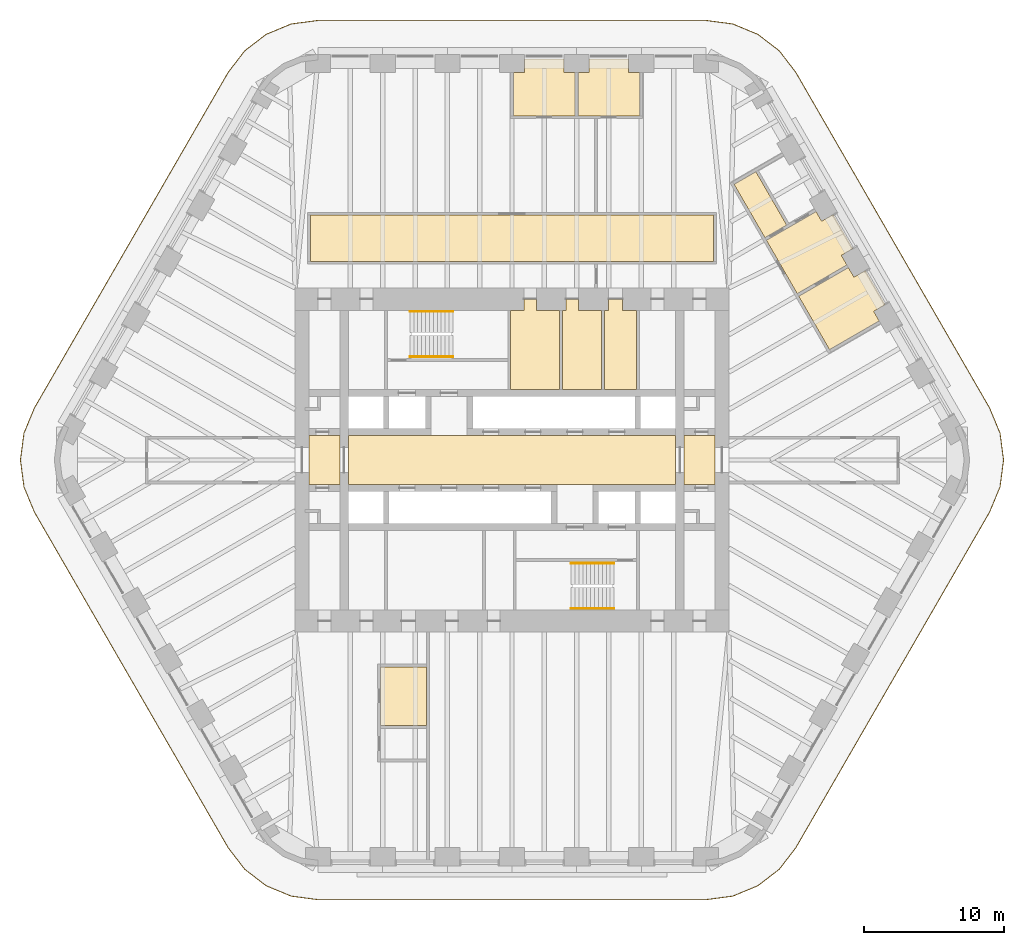
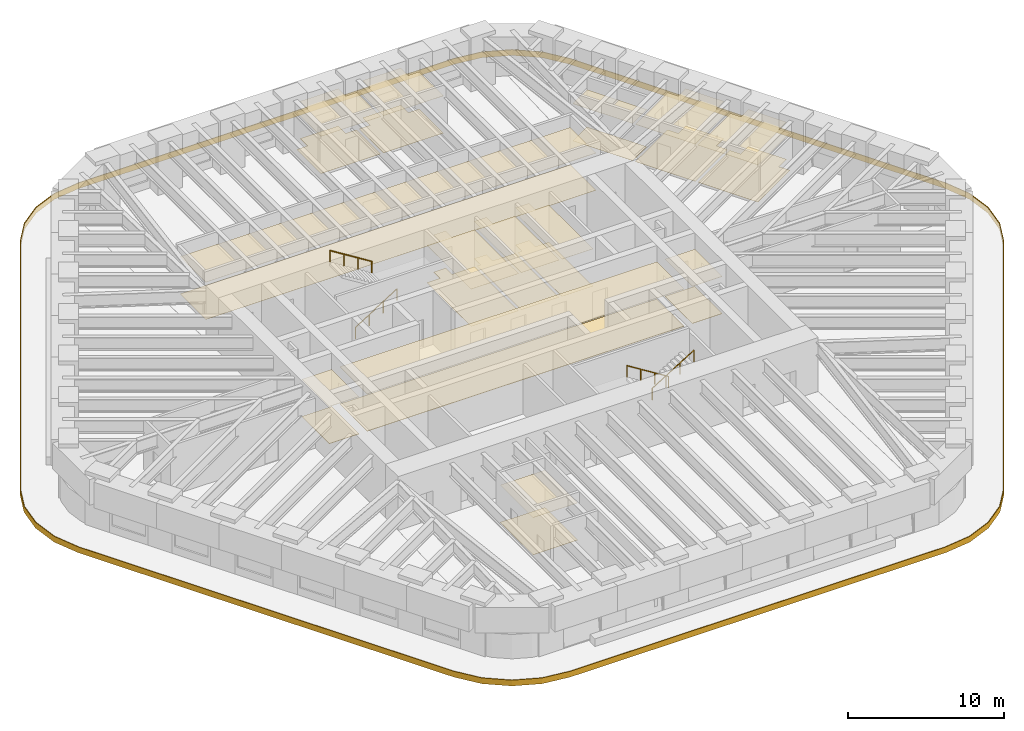
# One storey, part 11 of 12: 15 coverings, 4 railings.
"""IFC4 building model written with IfcOpenShell, lengths in metres."""

from ifc_helpers import new_model, si_unit, direction, frame, origin, origin_2d, place, context, subcontext, project, spatial, polyline, circle, outline, extrude, material, layer, layer_set, type_object, element, save


model = new_model("IFC4")

# Units and contexts
model_context = context("Model", 3, precision=1e-05, world=origin(), true_north=direction((0.0, 1.0)))
body_context = subcontext(model_context, "Body", "Model", "MODEL_VIEW")
ifc_project = project(units=[si_unit("LENGTHUNIT", "METRE"), si_unit("AREAUNIT", "SQUARE_METRE"), si_unit("VOLUMEUNIT", "CUBIC_METRE"), si_unit("PLANEANGLEUNIT", "RADIAN"), si_unit("MASSUNIT", "GRAM", prefix="KILO")], contexts=[model_context])

# Site, building, storey
site_placement = place(None, origin())
site = spatial("IfcSite", under=ifc_project, at=site_placement, CompositionType="ELEMENT")
building_placement = place(site_placement, origin())
building = spatial("IfcBuilding", under=site, at=building_placement, Name="Tarfa Lantern Tower", CompositionType="ELEMENT")
storey_placement = place(building_placement, frame((0.0, 0.0, 295.300048828125)))
storey = spatial("IfcBuildingStorey", under=building, at=storey_placement, Name="L67", CompositionType="ELEMENT", Elevation=295.300048828125)

# Coverings
ifc_material_1 = material(Name="Mineral fibre acoustic tile on suspension grid", Category="finish")
ifc_layer_1 = layer(ifc_material_1, 0.02001953125)
ifc_layer_set_1 = layer_set([ifc_layer_1], Name="CL1 ACOUSTIC TILE CEILING 20")
covering_type_1 = type_object("IfcCoveringType", Name="CL1 ACOUSTIC TILE CEILING 20", PredefinedType="CEILING", material=ifc_layer_set_1)
covering_1_placement = place(storey_placement, frame((0.0, 0.0, 2.89990234375)))
element("IfcCovering", 1, at=covering_1_placement, inside=storey, type_object=covering_type_1, Name="Ceiling L67 CL1", PredefinedType="CEILING", context=body_context, shape_type="SweptSolid", body=[
    extrude(outline(polyline([(-14.39990234375, 17.5), (14.39990234375, 17.5), (14.39990234375, 14.199951171875), (-14.39990234375, 14.199951171875), (-14.39990234375, 17.5)])), origin(), (0.0, 0.0, 1.0), 0.02001953125),
    extrude(outline(polyline([(9.1376953125, 24.60009765625), (4.71875, 24.60009765625), (4.71875, 27.699951171875), (5.518798828125, 27.699951171875), (5.518798828125, 28.64990234375), (8.337646484375, 28.64990234375), (8.337646484375, 27.699951171875), (9.1376953125, 27.699951171875), (9.1376953125, 24.60009765625)])), origin(), (0.0, 0.0, 1.0), 0.02001953125),
    extrude(outline(polyline([(4.518798828125, 24.60009765625), (0.10009765625, 24.60009765625), (0.10009765625, 27.699951171875), (0.89990234375, 27.699951171875), (0.89990234375, 28.64990234375), (3.71875, 28.64990234375), (3.71875, 27.699951171875), (4.518798828125, 27.699951171875), (4.518798828125, 24.60009765625)])), origin(), (0.0, 0.0, 1.0), 0.02001953125),
    extrude(outline(polyline([(20.48828125, 11.71337890625), (24.038818359375, 13.763427734375), (24.43896484375, 13.070556640625), (25.26171875, 13.545654296875), (26.671142578125, 11.1044921875), (25.848388671875, 10.62939453125), (26.248291015625, 9.9365234375), (22.697509765625, 7.88671875), (20.48828125, 11.71337890625)])), origin(), (0.0, 0.0, 1.0), 0.02001953125),
    extrude(outline(polyline([(18.1787109375, 15.71337890625), (21.7294921875, 17.763427734375), (22.12939453125, 17.070556640625), (22.9521484375, 17.545654296875), (24.361572265625, 15.1044921875), (23.538818359375, 14.62939453125), (23.93896484375, 13.9365234375), (20.38818359375, 11.88671875), (18.1787109375, 15.71337890625)])), origin(), (0.0, 0.0, 1.0), 0.02001953125),
    extrude(outline(polyline([(-9.39990234375, -18.97509765625), (-9.39990234375, -14.77490234375), (-6.10009765625, -14.77490234375), (-6.10009765625, -18.97509765625), (-9.39990234375, -18.97509765625)])), origin(), (0.0, 0.0, 1.0), 0.02001953125),
    extrude(outline(polyline([(15.869384765625, 19.71337890625), (17.42822265625, 20.61328125), (19.6376953125, 16.78662109375), (18.078857421875, 15.88671875), (15.869384765625, 19.71337890625)])), origin(), (0.0, 0.0, 1.0), 0.02001953125),
])
ifc_material_2 = material(Name="Moisture-resistant plasterboard", Category="finish")
ifc_layer_2 = layer(ifc_material_2, 0.014892578125)
ifc_layer_set_2 = layer_set([ifc_layer_2], Name="CL2 MOISTURE-RESISTANT PLASTERBOARD CEILING 15")
covering_type_2 = type_object("IfcCoveringType", Name="CL2 MOISTURE-RESISTANT PLASTERBOARD CEILING 15", PredefinedType="CEILING", material=ifc_layer_set_2)
covering_2_placement = place(storey_placement, frame((0.0, 0.0, 2.89990234375)))
element("IfcCovering", 2, at=covering_2_placement, inside=storey, type_object=covering_type_2, Name="Ceiling L67-07", PredefinedType="CEILING", context=body_context, shape_type="SweptSolid", body=[
    extrude(outline(polyline([(0.85009765625, 10.699951171875), (-0.10009765625, 10.699951171875), (-0.10009765625, 5.050048828125), (3.39990234375, 5.050048828125), (3.39990234375, 10.699951171875), (1.75, 10.699951171875), (1.75, 11.5), (0.85009765625, 11.5), (0.85009765625, 11.5), (0.85009765625, 10.699951171875)])), origin(), (0.0, 0.0, 1.0), 0.01513671875),
])
covering_3_placement = place(storey_placement, frame((0.0, 0.0, 2.89990234375)))
element("IfcCovering", 3, at=covering_3_placement, inside=storey, type_object=covering_type_2, Name="Ceiling L67-08", PredefinedType="CEILING", context=body_context, shape_type="SweptSolid", body=[
    extrude(outline(polyline([(3.60009765625, 5.050048828125), (6.39990234375, 5.050048828125), (6.39990234375, 10.699951171875), (4.75, 10.699951171875), (4.75, 11.5), (3.85009765625, 11.5), (3.85009765625, 10.699951171875), (3.60009765625, 10.699951171875), (3.60009765625, 5.050048828125)])), origin(), (0.0, 0.0, 1.0), 0.01513671875),
])
covering_4_placement = place(storey_placement, frame((0.0, 0.0, 2.89990234375)))
element("IfcCovering", 4, at=covering_4_placement, inside=storey, type_object=covering_type_2, Name="Ceiling L67-09", PredefinedType="CEILING", context=body_context, shape_type="SweptSolid", body=[
    extrude(outline(polyline([(6.60009765625, 5.050048828125), (8.89990234375, 5.050048828125), (8.89990234375, 10.699951171875), (7.89990234375, 10.699951171875), (7.89990234375, 11.5), (6.89990234375, 11.5), (6.89990234375, 10.699951171875), (6.60009765625, 10.699951171875), (6.60009765625, 5.050048828125)])), origin(), (0.0, 0.0, 1.0), 0.01513671875),
])
ifc_material_3 = material(Name="Powder-coated aluminium panel", Category="aluminium")
ifc_layer_3 = layer(ifc_material_3, 0.030029296875)
ifc_layer_set_3 = layer_set([ifc_layer_3], Name="CL3 METAL PANEL CEILING 30")
covering_type_3 = type_object("IfcCoveringType", Name="CL3 METAL PANEL CEILING 30", PredefinedType="CEILING", material=ifc_layer_set_3)
covering_5_placement = place(storey_placement, frame((0.0, 0.0, 2.89990234375)))
element("IfcCovering", 5, at=covering_5_placement, inside=storey, type_object=covering_type_3, Name="Ceiling L67-01", PredefinedType="CEILING", context=body_context, shape_type="SweptSolid", body=[
    extrude(outline(polyline([(-14.5, -1.75), (-12.300048828125, -1.75), (-12.300048828125, 1.75), (-14.5, 1.75), (-14.5, -1.75)])), origin(), (0.0, 0.0, 1.0), 0.030029296875),
])
covering_6_placement = place(storey_placement, frame((0.0, 0.0, 2.89990234375)))
element("IfcCovering", 6, at=covering_6_placement, inside=storey, type_object=covering_type_3, Name="Ceiling L67-02", PredefinedType="CEILING", context=body_context, shape_type="SweptSolid", body=[
    extrude(outline(polyline([(-11.699951171875, -1.75), (11.699951171875, -1.75), (11.699951171875, 1.75), (-11.699951171875, 1.75), (-11.699951171875, -1.75)])), origin(), (0.0, 0.0, 1.0), 0.030029296875),
])
covering_7_placement = place(storey_placement, frame((0.0, 0.0, 2.89990234375)))
element("IfcCovering", 7, at=covering_7_placement, inside=storey, type_object=covering_type_3, Name="Ceiling L67-03", PredefinedType="CEILING", context=body_context, shape_type="SweptSolid", body=[
    extrude(outline(polyline([(12.300048828125, -1.75), (14.5, -1.75), (14.5, 1.75), (12.300048828125, 1.75), (12.300048828125, -1.75)])), origin(), (0.0, 0.0, 1.0), 0.030029296875),
])
ifc_material_4 = material(Name="Nylon carpet tile", Category="finish")
ifc_layer_4 = layer(ifc_material_4, 0.010009765625)
ifc_layer_set_4 = layer_set([ifc_layer_4], Name="FL1 CARPET TILE 10")
covering_type_4 = type_object("IfcCoveringType", Name="FL1 CARPET TILE 10", PredefinedType="FLOORING", material=ifc_layer_set_4)
covering_8_placement = place(storey_placement, origin())
element("IfcCovering", 8, at=covering_8_placement, inside=storey, type_object=covering_type_4, Name="Floor finish L67 FL1", PredefinedType="FLOORING", context=body_context, shape_type="SweptSolid", body=[
    extrude(outline(polyline([(-14.39990234375, 17.5), (14.39990234375, 17.5), (14.39990234375, 14.199951171875), (-14.39990234375, 14.199951171875), (-14.39990234375, 17.5)])), origin(), (0.0, 0.0, 1.0), 0.010009765625),
    extrude(outline(polyline([(9.1376953125, 24.60009765625), (4.71875, 24.60009765625), (4.71875, 27.699951171875), (5.518798828125, 27.699951171875), (5.518798828125, 28.64990234375), (8.337646484375, 28.64990234375), (8.337646484375, 27.699951171875), (9.1376953125, 27.699951171875), (9.1376953125, 24.60009765625)])), origin(), (0.0, 0.0, 1.0), 0.010009765625),
    extrude(outline(polyline([(4.518798828125, 24.60009765625), (0.10009765625, 24.60009765625), (0.10009765625, 27.699951171875), (0.89990234375, 27.699951171875), (0.89990234375, 28.64990234375), (3.71875, 28.64990234375), (3.71875, 27.699951171875), (4.518798828125, 27.699951171875), (4.518798828125, 24.60009765625)])), origin(), (0.0, 0.0, 1.0), 0.010009765625),
    extrude(outline(polyline([(20.48828125, 11.71337890625), (24.038818359375, 13.763427734375), (24.43896484375, 13.070556640625), (25.26171875, 13.545654296875), (26.671142578125, 11.1044921875), (25.848388671875, 10.62939453125), (26.248291015625, 9.9365234375), (22.697509765625, 7.88671875), (20.48828125, 11.71337890625)])), origin(), (0.0, 0.0, 1.0), 0.010009765625),
    extrude(outline(polyline([(18.1787109375, 15.71337890625), (21.7294921875, 17.763427734375), (22.12939453125, 17.070556640625), (22.9521484375, 17.545654296875), (24.361572265625, 15.1044921875), (23.538818359375, 14.62939453125), (23.93896484375, 13.9365234375), (20.38818359375, 11.88671875), (18.1787109375, 15.71337890625)])), origin(), (0.0, 0.0, 1.0), 0.010009765625),
    extrude(outline(polyline([(-9.39990234375, -18.97509765625), (-9.39990234375, -14.77490234375), (-6.10009765625, -14.77490234375), (-6.10009765625, -18.97509765625), (-9.39990234375, -18.97509765625)])), origin(), (0.0, 0.0, 1.0), 0.010009765625),
    extrude(outline(polyline([(15.869384765625, 19.71337890625), (17.42822265625, 20.61328125), (19.6376953125, 16.78662109375), (18.078857421875, 15.88671875), (15.869384765625, 19.71337890625)])), origin(), (0.0, 0.0, 1.0), 0.010009765625),
])
ifc_material_5 = material(Name="Honed limestone flooring", Category="masonry")
ifc_layer_5 = layer(ifc_material_5, 0.030029296875)
ifc_layer_set_5 = layer_set([ifc_layer_5], Name="FL2 STONE FLOORING 30")
covering_type_5 = type_object("IfcCoveringType", Name="FL2 STONE FLOORING 30", PredefinedType="FLOORING", material=ifc_layer_set_5)
covering_9_placement = place(storey_placement, origin())
element("IfcCovering", 9, at=covering_9_placement, inside=storey, type_object=covering_type_5, Name="Floor finish L67-01", PredefinedType="FLOORING", context=body_context, shape_type="SweptSolid", body=[
    extrude(outline(polyline([(-14.5, -1.75), (-12.300048828125, -1.75), (-12.300048828125, 1.75), (-14.5, 1.75), (-14.5, -1.75)])), origin(), (0.0, 0.0, 1.0), 0.030029296875),
])
covering_10_placement = place(storey_placement, origin())
element("IfcCovering", 10, at=covering_10_placement, inside=storey, type_object=covering_type_5, Name="Floor finish L67-02", PredefinedType="FLOORING", context=body_context, shape_type="SweptSolid", body=[
    extrude(outline(polyline([(-11.699951171875, -1.75), (11.699951171875, -1.75), (11.699951171875, 1.75), (-11.699951171875, 1.75), (-11.699951171875, -1.75)])), origin(), (0.0, 0.0, 1.0), 0.030029296875),
])
covering_11_placement = place(storey_placement, origin())
element("IfcCovering", 11, at=covering_11_placement, inside=storey, type_object=covering_type_5, Name="Floor finish L67-03", PredefinedType="FLOORING", context=body_context, shape_type="SweptSolid", body=[
    extrude(outline(polyline([(12.300048828125, -1.75), (14.5, -1.75), (14.5, 1.75), (12.300048828125, 1.75), (12.300048828125, -1.75)])), origin(), (0.0, 0.0, 1.0), 0.030029296875),
])
ifc_material_6 = material(Name="Porcelain floor tile", Category="finish")
ifc_layer_6 = layer(ifc_material_6, 0.011962890625)
ifc_layer_set_6 = layer_set([ifc_layer_6], Name="FL3 CERAMIC TILE 12")
covering_type_6 = type_object("IfcCoveringType", Name="FL3 CERAMIC TILE 12", PredefinedType="FLOORING", material=ifc_layer_set_6)
covering_12_placement = place(storey_placement, origin())
element("IfcCovering", 12, at=covering_12_placement, inside=storey, type_object=covering_type_6, Name="Floor finish L67-07", PredefinedType="FLOORING", context=body_context, shape_type="SweptSolid", body=[
    extrude(outline(polyline([(0.85009765625, 10.699951171875), (-0.10009765625, 10.699951171875), (-0.10009765625, 5.050048828125), (3.39990234375, 5.050048828125), (3.39990234375, 10.699951171875), (1.75, 10.699951171875), (1.75, 11.5), (0.85009765625, 11.5), (0.85009765625, 11.5), (0.85009765625, 10.699951171875)])), origin(), (0.0, 0.0, 1.0), 0.011962890625),
])
covering_13_placement = place(storey_placement, origin())
element("IfcCovering", 13, at=covering_13_placement, inside=storey, type_object=covering_type_6, Name="Floor finish L67-08", PredefinedType="FLOORING", context=body_context, shape_type="SweptSolid", body=[
    extrude(outline(polyline([(3.60009765625, 5.050048828125), (6.39990234375, 5.050048828125), (6.39990234375, 10.699951171875), (4.75, 10.699951171875), (4.75, 11.5), (3.85009765625, 11.5), (3.85009765625, 10.699951171875), (3.60009765625, 10.699951171875), (3.60009765625, 5.050048828125)])), origin(), (0.0, 0.0, 1.0), 0.011962890625),
])
covering_14_placement = place(storey_placement, origin())
element("IfcCovering", 14, at=covering_14_placement, inside=storey, type_object=covering_type_6, Name="Floor finish L67-09", PredefinedType="FLOORING", context=body_context, shape_type="SweptSolid", body=[
    extrude(outline(polyline([(6.60009765625, 5.050048828125), (8.89990234375, 5.050048828125), (8.89990234375, 10.699951171875), (7.89990234375, 10.699951171875), (7.89990234375, 11.5), (6.89990234375, 11.5), (6.89990234375, 10.699951171875), (6.60009765625, 10.699951171875), (6.60009765625, 5.050048828125)])), origin(), (0.0, 0.0, 1.0), 0.011962890625),
])

# Railings
ifc_material_7 = material(Name="Stainless steel", Category="steel")
railing_type = type_object("IfcRailingType", Name="HR1 HANDRAIL 900", PredefinedType="HANDRAIL", material=ifc_material_7)
railing_1_placement = place(storey_placement, frame((-7.300048828125, 7.3798828125, 0.175048828125)))
element("IfcRailing", 15, at=railing_1_placement, inside=storey, type_object=railing_type, Name="Handrail 1", PredefinedType="HANDRAIL", context=body_context, shape_type="SweptSolid", body=[
    extrude(circle(Radius=0.02392578125, at=origin_2d()), frame((0.0, 0.0, 0.8759765625), z_axis=(0.848028513186, 0.0, 0.529950602248), x_axis=(0.0, 1.0, 0.0)), (0.0, 0.0, 1.0), 3.632080078125),
    extrude(circle(Radius=0.02099609375, at=origin_2d()), frame((0.0, 0.0, 0.0), z_axis=(0.0, 0.0, 1.0), x_axis=(0.0, 1.0, 0.0)), (0.0, 0.0, 1.0), 0.851806640625),
    extrude(circle(Radius=0.02099609375, at=origin_2d()), frame((1.026611328125, 0.0, 0.6416015625), z_axis=(0.0, 0.0, 1.0), x_axis=(0.0, 1.0, 0.0)), (0.0, 0.0, 1.0), 0.851806640625),
    extrude(circle(Radius=0.02099609375, at=origin_2d()), frame((2.053466796875, 0.0, 1.283203125), z_axis=(0.0, 0.0, 1.0), x_axis=(0.0, 1.0, 0.0)), (0.0, 0.0, 1.0), 0.851806640625),
    extrude(circle(Radius=0.02099609375, at=origin_2d()), frame((3.080078125, 0.0, 1.9248046875), z_axis=(0.0, 0.0, 1.0), x_axis=(0.0, 1.0, 0.0)), (0.0, 0.0, 1.0), 0.851806640625),
])
railing_2_placement = place(storey_placement, frame((-4.219970703125, 10.6201171875, 2.27490234375)))
element("IfcRailing", 16, at=railing_2_placement, inside=storey, type_object=railing_type, Name="Handrail 2", PredefinedType="HANDRAIL", context=body_context, shape_type="SweptSolid", body=[
    extrude(circle(Radius=0.02392578125, at=origin_2d()), frame((0.0, 0.0, 0.8759765625), z_axis=(-0.847998304005, 0.0, 0.529998940003), x_axis=(0.0, -1.0, 0.0)), (0.0, 0.0, 1.0), 3.632080078125),
    extrude(circle(Radius=0.02099609375, at=origin_2d()), frame((0.0, 0.0, 0.0), z_axis=(0.0, 0.0, 1.0), x_axis=(0.0, -1.0, 0.0)), (0.0, 0.0, 1.0), 0.851806640625),
    extrude(circle(Radius=0.02099609375, at=origin_2d()), frame((-1.026611328125, 0.0, 0.6416015625), z_axis=(0.0, 0.0, 1.0), x_axis=(0.0, -1.0, 0.0)), (0.0, 0.0, 1.0), 0.851806640625),
    extrude(circle(Radius=0.02099609375, at=origin_2d()), frame((-2.053466796875, 0.0, 1.283447265625), z_axis=(0.0, 0.0, 1.0), x_axis=(0.0, -1.0, 0.0)), (0.0, 0.0, 1.0), 0.851806640625),
    extrude(circle(Radius=0.02099609375, at=origin_2d()), frame((-3.080078125, 0.0, 1.925048828125), z_axis=(0.0, 0.0, 1.0), x_axis=(0.0, -1.0, 0.0)), (0.0, 0.0, 1.0), 0.851806640625),
])
railing_3_placement = place(storey_placement, frame((7.300048828125, -7.3798828125, 0.175048828125)))
element("IfcRailing", 17, at=railing_3_placement, inside=storey, type_object=railing_type, Name="Handrail 1", PredefinedType="HANDRAIL", context=body_context, shape_type="SweptSolid", body=[
    extrude(circle(Radius=0.02392578125, at=origin_2d()), frame((0.0, 0.0, 0.8759765625), z_axis=(-0.848028513186, 0.0, 0.529950602248), x_axis=(0.0, -1.0, 0.0)), (0.0, 0.0, 1.0), 3.632080078125),
    extrude(circle(Radius=0.02099609375, at=origin_2d()), frame((0.0, 0.0, 0.0), z_axis=(0.0, 0.0, 1.0), x_axis=(0.0, -1.0, 0.0)), (0.0, 0.0, 1.0), 0.851806640625),
    extrude(circle(Radius=0.02099609375, at=origin_2d()), frame((-1.026611328125, 0.0, 0.6416015625), z_axis=(0.0, 0.0, 1.0), x_axis=(0.0, -1.0, 0.0)), (0.0, 0.0, 1.0), 0.851806640625),
    extrude(circle(Radius=0.02099609375, at=origin_2d()), frame((-2.053466796875, 0.0, 1.283203125), z_axis=(0.0, 0.0, 1.0), x_axis=(0.0, -1.0, 0.0)), (0.0, 0.0, 1.0), 0.851806640625),
    extrude(circle(Radius=0.02099609375, at=origin_2d()), frame((-3.080078125, 0.0, 1.9248046875), z_axis=(0.0, 0.0, 1.0), x_axis=(0.0, -1.0, 0.0)), (0.0, 0.0, 1.0), 0.851806640625),
])
railing_4_placement = place(storey_placement, frame((4.219970703125, -10.6201171875, 2.27490234375)))
element("IfcRailing", 18, at=railing_4_placement, inside=storey, type_object=railing_type, Name="Handrail 2", PredefinedType="HANDRAIL", context=body_context, shape_type="SweptSolid", body=[
    extrude(circle(Radius=0.02392578125, at=origin_2d()), frame((0.0, 0.0, 0.8759765625), z_axis=(0.847998304005, 0.0, 0.529998940003), x_axis=(0.0, 1.0, 0.0)), (0.0, 0.0, 1.0), 3.632080078125),
    extrude(circle(Radius=0.02099609375, at=origin_2d()), frame((0.0, 0.0, 0.0), z_axis=(0.0, 0.0, 1.0), x_axis=(0.0, 1.0, 0.0)), (0.0, 0.0, 1.0), 0.851806640625),
    extrude(circle(Radius=0.02099609375, at=origin_2d()), frame((1.026611328125, 0.0, 0.6416015625), z_axis=(0.0, 0.0, 1.0), x_axis=(0.0, 1.0, 0.0)), (0.0, 0.0, 1.0), 0.851806640625),
    extrude(circle(Radius=0.02099609375, at=origin_2d()), frame((2.053466796875, 0.0, 1.283447265625), z_axis=(0.0, 0.0, 1.0), x_axis=(0.0, 1.0, 0.0)), (0.0, 0.0, 1.0), 0.851806640625),
    extrude(circle(Radius=0.02099609375, at=origin_2d()), frame((3.080078125, 0.0, 1.925048828125), z_axis=(0.0, 0.0, 1.0), x_axis=(0.0, 1.0, 0.0)), (0.0, 0.0, 1.0), 0.851806640625),
])

# Covering
ifc_material_8 = material(Name="Limestone cladding on brackets", Category="masonry")
ifc_layer_7 = layer(ifc_material_8, 0.050048828125)
ifc_layer_set_7 = layer_set([ifc_layer_7], Name="SB1 STONE BAND CLADDING 50")
covering_type_7 = type_object("IfcCoveringType", Name="SB1 STONE BAND CLADDING 50", PredefinedType="CLADDING", material=ifc_layer_set_7)
covering_15_placement = place(storey_placement, frame((0.0, 0.0, -0.400146484375)))
element("IfcCovering", 19, at=covering_15_placement, inside=storey, type_object=covering_type_7, Name="Stone band", PredefinedType="CLADDING", context=body_context, shape_type="SweptSolid", body=[
    extrude(outline(polyline([(34.164794921875, 3.72509765625), (20.308349609375, 27.72509765625), (19.124267578125, 29.26806640625), (17.581298828125, 30.451904296875), (15.78466796875, 31.196044921875), (13.8564453125, 31.449951171875), (-13.8564453125, 31.449951171875), (-15.78466796875, 31.196044921875), (-17.581298828125, 30.451904296875), (-19.124267578125, 29.26806640625), (-20.308349609375, 27.72509765625), (-34.164794921875, 3.72509765625), (-34.908935546875, 1.92822265625), (-35.162841796875, 0.0), (-34.908935546875, -1.92822265625), (-34.164794921875, -3.72509765625), (-20.308349609375, -27.72509765625), (-19.124267578125, -29.26806640625), (-17.581298828125, -30.451904296875), (-15.78466796875, -31.196044921875), (-13.8564453125, -31.449951171875), (13.8564453125, -31.449951171875), (15.78466796875, -31.196044921875), (17.581298828125, -30.451904296875), (19.124267578125, -29.26806640625), (20.308349609375, -27.72509765625), (34.164794921875, -3.72509765625), (34.908935546875, -1.92822265625), (35.162841796875, 0.0), (34.908935546875, 1.92822265625), (34.164794921875, 3.72509765625)]), holes=[polyline([(34.121337890625, 3.699951171875), (20.264892578125, 27.699951171875), (19.089111328125, 29.232666015625), (17.556396484375, 30.40869140625), (15.771728515625, 31.14794921875), (13.8564453125, 31.39990234375), (-13.8564453125, 31.39990234375), (-15.771728515625, 31.14794921875), (-17.556396484375, 30.40869140625), (-19.089111328125, 29.232666015625), (-20.264892578125, 27.699951171875), (-34.121337890625, 3.699951171875), (-34.860595703125, 1.915283203125), (-35.11279296875, 0.0), (-34.860595703125, -1.915283203125), (-34.121337890625, -3.699951171875), (-20.264892578125, -27.699951171875), (-19.089111328125, -29.232666015625), (-17.556396484375, -30.40869140625), (-15.771728515625, -31.14794921875), (-13.8564453125, -31.39990234375), (13.8564453125, -31.39990234375), (15.771728515625, -31.14794921875), (17.556396484375, -30.40869140625), (19.089111328125, -29.232666015625), (20.264892578125, -27.699951171875), (34.121337890625, -3.699951171875), (34.860595703125, -1.915283203125), (35.11279296875, 0.0), (34.860595703125, 1.915283203125), (34.121337890625, 3.699951171875)])]), origin(), (0.0, 0.0, 1.0), 0.4501953125),
])

save(model, "model.ifc")
